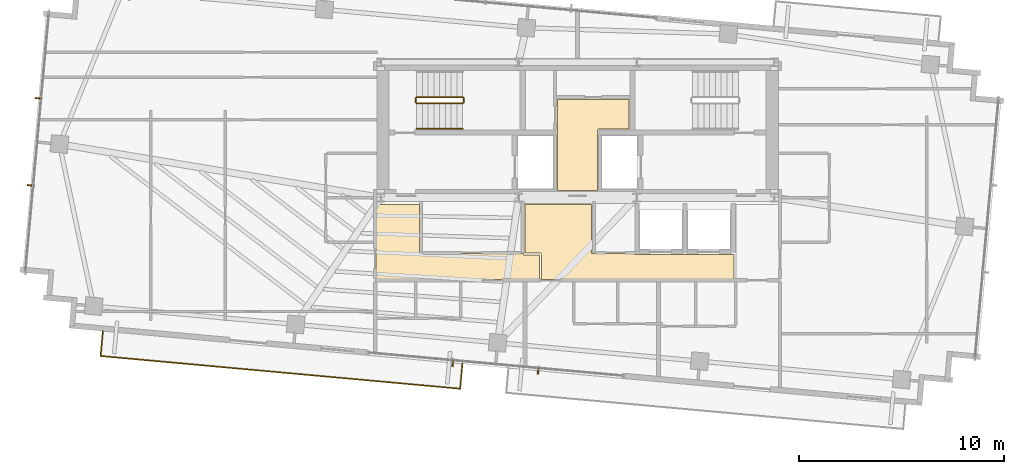
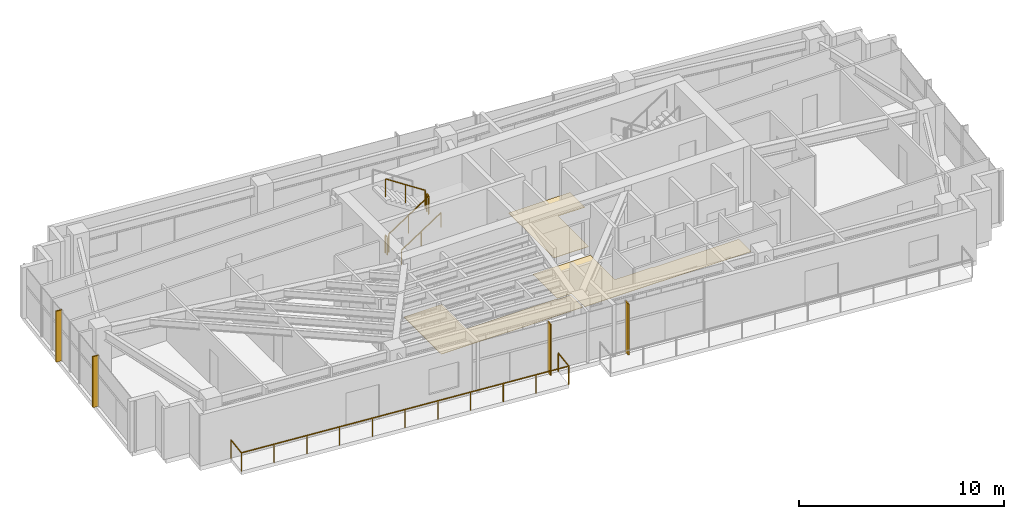
# One storey, part 20 of 22: 6 railings, 4 shading devices, 3 coverings.
"""IFC4 building model written with IfcOpenShell, lengths in metres."""

import ifcopenshell
import ifcopenshell.guid

model = None  # the IFC model being written
_history = None  # IfcOwnerHistory: only IFC2X3 demands one
_inside = {}  # id of a spatial element -> (the spatial element, [elements in it])
_under = {}  # id of a project, library or spatial element -> (it, [spatial elements below it])
_declared = {}  # id of a project -> (the project, [libraries it declares])
_typed = {}  # id of a type object -> (the type object, [elements of that type])
_made_of = {}  # id of a material, layer set ... -> (it, [elements and type objects made of it])


def new_model(schema):
    """Start an empty IFC model of exactly this schema.

    Asked for "IFC4X3", IfcOpenShell would pick the latest addendum, in which some entities
    have other attributes; the version numbers below select the first issue.
    IFC2X3 requires an IfcOwnerHistory on every rooted entity: one is made here for all.
    """
    global model, _history
    if schema == "IFC4X3":
        model = ifcopenshell.file(schema_version=(4, 3, 0, 0))
    else:
        model = ifcopenshell.file(schema=schema)
    _inside.clear()
    _under.clear()
    _declared.clear()
    _typed.clear()
    _made_of.clear()
    _history = None
    if model.schema == "IFC2X3":
        org = make("IfcOrganization", Name="unknown")
        user = make(
            "IfcPersonAndOrganization",
            ThePerson=make("IfcPerson", FamilyName="unknown"),
            TheOrganization=org,
        )
        app = make(
            "IfcApplication",
            ApplicationDeveloper=org,
            Version="unknown",
            ApplicationFullName="unknown",
            ApplicationIdentifier="unknown",
        )
        _history = make(
            "IfcOwnerHistory",
            OwningUser=user,
            OwningApplication=app,
            ChangeAction="ADDED",
            CreationDate=0,
        )
    return model


def make(cls, **values):
    """One entity of the class cls with the attributes given. An attribute that is None is left unset."""
    return model.create_entity(
        cls, **{name: value for name, value in values.items() if value is not None}
    )


def rooted(cls, **values):
    """An entity with a GlobalId (a new one), such as an element, a storey or a relation."""
    return make(cls, GlobalId=ifcopenshell.guid.new(), OwnerHistory=_history, **values)


def si_unit(unit_type, name, prefix=None):
    """IfcSIUnit, for example si_unit("LENGTHUNIT", "METRE", prefix="MILLI")."""
    return make("IfcSIUnit", UnitType=unit_type, Prefix=prefix, Name=name)


def assignment(units):
    """IfcUnitAssignment: the units of a project."""
    return None if units is None else make("IfcUnitAssignment", Units=units)


def point(xyz):
    """IfcCartesianPoint."""
    return None if xyz is None else make("IfcCartesianPoint", Coordinates=xyz)


def direction(xyz):
    """IfcDirection."""
    return None if xyz is None else make("IfcDirection", DirectionRatios=xyz)


def frame(location, z_axis=None, x_axis=None):
    """IfcAxis2Placement3D, a coordinate frame: its origin and axes. An axis left out is left unset."""
    return make(
        "IfcAxis2Placement3D",
        Location=point(location),
        Axis=direction(z_axis),
        RefDirection=direction(x_axis),
    )


def frame_2d(location, x_axis=None):
    """IfcAxis2Placement2D, a coordinate frame in the plane: its origin and x axis."""
    return make(
        "IfcAxis2Placement2D", Location=point(location), RefDirection=direction(x_axis)
    )


def origin():
    """The frame at (0, 0, 0) with its axes left unset."""
    return frame((0.0, 0.0, 0.0))


def origin_2d():
    """The frame at (0, 0) in the plane with its x axis left unset."""
    return frame_2d((0.0, 0.0))


def place(relative_to, where):
    """IfcLocalPlacement: puts the frame where relative to a parent placement (None: the world)."""
    return make(
        "IfcLocalPlacement", PlacementRelTo=relative_to, RelativePlacement=where
    )


def context(
    kind, dimensions, precision=None, world=None, true_north=None, identifier=None
):
    """IfcGeometricRepresentationContext, for example the 3D "Model" context."""
    return make(
        "IfcGeometricRepresentationContext",
        ContextIdentifier=identifier,
        ContextType=kind,
        CoordinateSpaceDimension=dimensions,
        Precision=precision,
        WorldCoordinateSystem=world,
        TrueNorth=true_north,
    )


def subcontext(parent, identifier, kind, view, scale=None):
    """IfcGeometricRepresentationSubContext, for example "Body" below "Model"."""
    return make(
        "IfcGeometricRepresentationSubContext",
        ContextIdentifier=identifier,
        ContextType=kind,
        ParentContext=parent,
        TargetScale=scale,
        TargetView=view,
    )


def project(units=None, contexts=None):
    """IfcProject with its units and contexts."""
    return rooted(
        "IfcProject",
        Name="project",
        RepresentationContexts=contexts,
        UnitsInContext=assignment(units),
    )


def spatial(cls, under=None, at=None, **own):
    """A site, building, storey or space (cls), placed at a placement, below another one or the project."""
    s = rooted(cls, ObjectPlacement=at, **own)
    if under is not None:
        _under.setdefault(under.id(), (under, []))[1].append(s)
    return s


def polyline(points):
    """IfcPolyline through the points."""
    return make("IfcPolyline", Points=[point(p) for p in points])


def profile(cls, at=None, kind="AREA", **sizes):
    """A parametric profile (cls). Its sizes go by their IFC names, for example OverallWidth=200.0."""
    return make(cls, ProfileType=kind, Position=at, **sizes)


def rectangle(**sizes):
    """IfcRectangleProfileDef."""
    return profile("IfcRectangleProfileDef", **sizes)


def outline(outer, holes=None, kind="AREA"):
    """IfcArbitraryClosedProfileDef: a profile drawn as a closed curve; with holes, ...WithVoids."""
    if holes is None:
        return make("IfcArbitraryClosedProfileDef", ProfileType=kind, OuterCurve=outer)
    return make(
        "IfcArbitraryProfileDefWithVoids",
        ProfileType=kind,
        OuterCurve=outer,
        InnerCurves=holes,
    )


def extrude(swept, where, along, depth):
    """IfcExtrudedAreaSolid: the profile swept, set in the frame where, extruded along a direction by depth."""
    return make(
        "IfcExtrudedAreaSolid",
        SweptArea=swept,
        Position=where,
        ExtrudedDirection=direction(along),
        Depth=depth,
    )


def shape(context_of_items, identifier, shape_type, items):
    """IfcShapeRepresentation: the items that make up one representation, for example the "Body"."""
    return make(
        "IfcShapeRepresentation",
        ContextOfItems=context_of_items,
        RepresentationIdentifier=identifier,
        RepresentationType=shape_type,
        Items=items,
    )


def source(mapping_origin, context_of_items, identifier, shape_type, items):
    """IfcRepresentationMap: a shape defined once, which mapped items show again and again."""
    return make(
        "IfcRepresentationMap",
        MappingOrigin=mapping_origin,
        MappedRepresentation=shape(context_of_items, identifier, shape_type, items),
    )


def transform(
    local_origin,
    x_axis=None,
    y_axis=None,
    z_axis=None,
    scale=None,
    scale2=None,
    scale3=None,
    uniform=True,
):
    """IfcCartesianTransformationOperator3D, or its non-uniform kind. x_axis, y_axis, z_axis: its Axis1, 2, 3."""
    if uniform:
        return make(
            "IfcCartesianTransformationOperator3D",
            Axis1=direction(x_axis),
            Axis2=direction(y_axis),
            LocalOrigin=point(local_origin),
            Scale=scale,
            Axis3=direction(z_axis),
        )
    return make(
        "IfcCartesianTransformationOperator3DnonUniform",
        Axis1=direction(x_axis),
        Axis2=direction(y_axis),
        LocalOrigin=point(local_origin),
        Scale=scale,
        Axis3=direction(z_axis),
        Scale2=scale2,
        Scale3=scale3,
    )


def mapped(mapping_source, mapping_target):
    """IfcMappedItem: shows the shape of a source again, moved by a transform."""
    return make(
        "IfcMappedItem", MappingSource=mapping_source, MappingTarget=mapping_target
    )


def material(Name=None, Category=None):
    """IfcMaterial."""
    return make("IfcMaterial", Name=Name, Category=Category)


def layer(
    of_material, thickness, ventilated=None, Name=None, Category=None, Priority=None
):
    """IfcMaterialLayer: one layer of a wall or slab, of a material (None: an air gap)."""
    return make(
        "IfcMaterialLayer",
        Material=of_material,
        LayerThickness=thickness,
        IsVentilated=ventilated,
        Name=Name,
        Category=Category,
        Priority=Priority,
    )


def layer_set(layers, Name=None):
    """IfcMaterialLayerSet."""
    return make("IfcMaterialLayerSet", MaterialLayers=layers, LayerSetName=Name)


def made_of(thing, what):
    """Note that an element or type object is made of a material, layer set ...; save() writes the relation."""
    if what is not None:
        _made_of.setdefault(what.id(), (what, []))[1].append(thing)
    return thing


def type_object(cls, material=None, **own):
    """A type object (cls), such as IfcWallType, which elements share."""
    return made_of(rooted(cls, **own), material)


def type_shapes(of_type, sources):
    """Give a type object the sources (RepresentationMaps) that its elements show as mapped items."""
    of_type.RepresentationMaps = sources


def element(
    cls,
    number,
    at=None,
    inside=None,
    cuts=None,
    type_object=None,
    material=None,
    context=None,
    identifier="Body",
    shape_type=None,
    held_by="IfcProductDefinitionShape",
    body=None,
    shapes=None,
    **own,
):
    """One element of the class cls, such as IfcWall. Its Tag is "e" and its number.

    at: its placement. inside: the storey or other place that contains it. cuts: it is an
    opening in that element (IfcRelVoidsElement). A single representation is given by context,
    identifier, shape_type and body (its items); several are given by shapes. held_by: the class
    of the entity that holds the representations. save() writes the other relations.
    """
    e = rooted(cls, Tag="e%d" % number, ObjectPlacement=at, **own)
    if body is not None:
        shapes = [shape(context, identifier, shape_type, body)]
    if shapes is not None:
        e.Representation = make(held_by, Representations=shapes)
    if inside is not None:
        _inside.setdefault(inside.id(), (inside, []))[1].append(e)
    if cuts is not None:
        rooted(
            "IfcRelVoidsElement", RelatingBuildingElement=cuts, RelatedOpeningElement=e
        )
    if type_object is not None:
        _typed.setdefault(type_object.id(), (type_object, []))[1].append(e)
    return made_of(e, material)


def aggregate(whole, parts):
    """IfcRelAggregates: a whole, such as a stair, and the parts it consists of."""
    return rooted("IfcRelAggregates", RelatingObject=whole, RelatedObjects=parts)


def save(model, path):
    """Write the relations noted so far, then the file.

    IfcRelAggregates (storeys below a building ...), IfcRelContainedInSpatialStructure (elements
    in a storey), IfcRelDefinesByType, IfcRelAssociatesMaterial and IfcRelDeclares: one each for
    every whole, place, type object, material and project.
    """
    for whole, parts in _under.values():
        aggregate(whole, parts)
    for where, things in _inside.values():
        rooted(
            "IfcRelContainedInSpatialStructure",
            RelatedElements=things,
            RelatingStructure=where,
        )
    for kind, things in _typed.values():
        rooted("IfcRelDefinesByType", RelatedObjects=things, RelatingType=kind)
    for what, things in _made_of.values():
        rooted("IfcRelAssociatesMaterial", RelatedObjects=things, RelatingMaterial=what)
    for by, libraries in _declared.values():
        rooted("IfcRelDeclares", RelatingContext=by, RelatedDefinitions=libraries)
    model.write(path)


model = new_model("IFC4")

# Units and contexts
model_context = context("Model", 3, precision=1e-05, world=origin(), true_north=direction((0.0, 1.0)))
body_context = subcontext(model_context, "Body", "Model", "MODEL_VIEW")
ifc_project = project(units=[si_unit("LENGTHUNIT", "METRE"), si_unit("AREAUNIT", "SQUARE_METRE"), si_unit("VOLUMEUNIT", "CUBIC_METRE"), si_unit("PLANEANGLEUNIT", "RADIAN"), si_unit("MASSUNIT", "GRAM", prefix="KILO")], contexts=[model_context])

# Site, building, storey
site_placement = place(None, origin())
site = spatial("IfcSite", under=ifc_project, at=site_placement, CompositionType="ELEMENT")
building_placement = place(site_placement, origin())
building = spatial("IfcBuilding", under=site, at=building_placement, Name="Astriad Promenade Condominiums", CompositionType="ELEMENT")
storey_placement = place(building_placement, frame((0.0, 0.0, 239.699951171875)))
storey = spatial("IfcBuildingStorey", under=building, at=storey_placement, Name="L69", CompositionType="ELEMENT", Elevation=239.699951171875)

# Coverings
ifc_material_1 = material(Name="Polished Lakefront Terrazzo Flooring")
ifc_layer = layer(ifc_material_1, 0.02001953125)
ifc_layer_set = layer_set([ifc_layer], Name="Polished Lakefront Terrazzo Flooring")
covering_type = type_object("IfcCoveringType", Name="COV-FLOR-TERRAZZO-20", PredefinedType="FLOORING", material=ifc_layer_set)
covering_1_placement = place(storey_placement, origin())
element("IfcCovering", 1, at=covering_1_placement, inside=storey, type_object=covering_type, Name="FLR-L69-CSL", PredefinedType="FLOORING", context=body_context, shape_type="SweptSolid", body=[
    extrude(outline(polyline([(36.97998046875, 20.699951171875), (36.97998046875, 17.739990234375), (35.02001953125, 17.739990234375), (35.02001953125, 22.179931640625), (38.5, 22.179931640625), (38.5, 20.739990234375), (37.02001953125, 20.739990234375), (37.01611328125, 20.73974609375), (37.01220703125, 20.7392578125), (37.00830078125, 20.73828125), (37.004638671875, 20.737060546875), (37.001220703125, 20.7353515625), (36.997802734375, 20.7333984375), (36.99462890625, 20.73095703125), (36.99169921875, 20.728271484375), (36.989013671875, 20.725341796875), (36.98681640625, 20.72216796875), (36.984619140625, 20.718994140625), (36.98291015625, 20.71533203125), (36.981689453125, 20.711669921875), (36.980712890625, 20.707763671875), (36.980224609375, 20.703857421875), (36.97998046875, 20.699951171875)])), origin(), (0.0, 0.0, 1.0), 0.02001953125),
])
covering_2_placement = place(storey_placement, origin())
element("IfcCovering", 2, at=covering_2_placement, inside=storey, type_object=covering_type, Name="FLR-L69-LLB", PredefinedType="FLOORING", context=body_context, shape_type="SweptSolid", body=[
    extrude(outline(polyline([(43.639892578125, 14.610107421875), (43.639892578125, 13.39990234375), (34.239990234375, 13.39990234375), (34.239990234375, 14.64990234375), (34.23974609375, 14.65380859375), (34.2392578125, 14.65771484375), (34.23828125, 14.66162109375), (34.237060546875, 14.665283203125), (34.2353515625, 14.6689453125), (34.2333984375, 14.672119140625), (34.23095703125, 14.67529296875), (34.228271484375, 14.67822265625), (34.225341796875, 14.680908203125), (34.22216796875, 14.683349609375), (34.218994140625, 14.685302734375), (34.21533203125, 14.68701171875), (34.211669921875, 14.688232421875), (34.207763671875, 14.689208984375), (34.203857421875, 14.689697265625), (34.199951171875, 14.68994140625), (33.43994140625, 14.68994140625), (33.43994140625, 17.06005859375), (36.679931640625, 17.06005859375), (36.679931640625, 14.699951171875), (36.68017578125, 14.696044921875), (36.680908203125, 14.692138671875), (36.681640625, 14.6884765625), (36.68310546875, 14.684814453125), (36.684814453125, 14.68115234375), (36.686767578125, 14.677734375), (36.689208984375, 14.674560546875), (36.691650390625, 14.671630859375), (36.694580078125, 14.669189453125), (36.69775390625, 14.666748046875), (36.701171875, 14.664794921875), (36.70458984375, 14.6630859375), (36.70849609375, 14.66162109375), (36.712158203125, 14.660888671875), (36.716064453125, 14.66015625), (36.719970703125, 14.659912109375), (38.760009765625, 14.659912109375), (38.760009765625, 14.64990234375), (38.76025390625, 14.64599609375), (38.7607421875, 14.64208984375), (38.76171875, 14.638427734375), (38.762939453125, 14.634765625), (38.7646484375, 14.631103515625), (38.7666015625, 14.627685546875), (38.76904296875, 14.62451171875), (38.771728515625, 14.62158203125), (38.774658203125, 14.619140625), (38.77783203125, 14.61669921875), (38.781005859375, 14.61474609375), (38.78466796875, 14.613037109375), (38.788330078125, 14.61181640625), (38.792236328125, 14.61083984375), (38.796142578125, 14.610107421875), (38.800048828125, 14.610107421875), (43.639892578125, 14.610107421875)])), origin(), (0.0, 0.0, 1.0), 0.02001953125),
])
covering_3_placement = place(storey_placement, origin())
element("IfcCovering", 3, at=covering_3_placement, inside=storey, type_object=covering_type, Name="FLR-L69-COR-2", PredefinedType="FLOORING", context=body_context, shape_type="SweptSolid", body=[
    extrude(outline(polyline([(26.159912109375, 13.39990234375), (26.159912109375, 17.06005859375), (28.280029296875, 17.06005859375), (28.280029296875, 14.699951171875), (28.2802734375, 14.696044921875), (28.28076171875, 14.692138671875), (28.28173828125, 14.6884765625), (28.282958984375, 14.684814453125), (28.28466796875, 14.68115234375), (28.28662109375, 14.677734375), (28.2890625, 14.674560546875), (28.291748046875, 14.671630859375), (28.294677734375, 14.669189453125), (28.2978515625, 14.666748046875), (28.301025390625, 14.664794921875), (28.3046875, 14.6630859375), (28.308349609375, 14.66162109375), (28.312255859375, 14.660888671875), (28.316162109375, 14.66015625), (28.320068359375, 14.659912109375), (33.35009765625, 14.659912109375), (33.35009765625, 14.64892578125), (33.35009765625, 14.64501953125), (33.350830078125, 14.64111328125), (33.35107421875, 14.64013671875), (33.351318359375, 14.639404296875), (33.351318359375, 14.638427734375), (33.352294921875, 14.634521484375), (33.353759765625, 14.630859375), (33.3544921875, 14.629150390625), (33.356201171875, 14.6259765625), (33.356689453125, 14.625), (33.35888671875, 14.62158203125), (33.3603515625, 14.61962890625), (33.36083984375, 14.618896484375), (33.361083984375, 14.61865234375), (33.361328125, 14.618408203125), (33.361572265625, 14.617919921875), (33.36328125, 14.615966796875), (33.365966796875, 14.61328125), (33.367919921875, 14.611572265625), (33.368408203125, 14.611328125), (33.36865234375, 14.611083984375), (33.368896484375, 14.61083984375), (33.36962890625, 14.6103515625), (33.37158203125, 14.60888671875), (33.375, 14.606689453125), (33.3759765625, 14.606201171875), (33.379150390625, 14.6044921875), (33.3798828125, 14.604248046875), (33.380859375, 14.603759765625), (33.384521484375, 14.602294921875), (33.388427734375, 14.601318359375), (33.389404296875, 14.601318359375), (33.39013671875, 14.60107421875), (33.39111328125, 14.600830078125), (33.39501953125, 14.60009765625), (33.39892578125, 14.60009765625), (34.14990234375, 14.60009765625), (34.14990234375, 13.39990234375), (26.159912109375, 13.39990234375)])), origin(), (0.0, 0.0, 1.0), 0.02001953125),
])

# Shading devices
ifc_material_2 = material(Name="Anodised aluminium 6063-T6 Black Fin", Category="aluminium")
shading_device_type = type_object("IfcShadingDeviceType", Name="FIN-BLACK-260", PredefinedType="USERDEFINED", material=ifc_material_2)
shared_shape_1 = source(origin(), body_context, "Body", "SweptSolid", [
    extrude(rectangle(XDim=0.06494140625, YDim=0.320068359375, at=origin_2d()), origin(), (0.0, 0.0, 1.0), 3.0400390625),
])
type_shapes(shading_device_type, [shared_shape_1])
for number, where, z_axis, x_axis, name in (
    (4, (9.293212890625, 17.9970703125, 0.0), (0.0, 0.0, 1.0), (0.090632580198, 0.995884398616, 0.0), "CW-L69-W-FIN-01"),
    (5, (9.6796875, 22.246337890625, 0.0), (0.0, 0.0, 1.0), (0.090632580198, 0.995884398616, 0.0), "CW-L69-W-FIN-02"),
    (6, (34.073974609375, 8.937255859375, 0.0), (0.0, 0.0, 1.0), (-0.995884398616, 0.090632580198, 0.0), "CW-L69-S-FIN-01"),
    (7, (29.9111328125, 9.316162109375, 0.0), (0.0, 0.0, 1.0), (-0.995884398616, 0.090632580198, 0.0), "CW-L69-S-FIN-02"),
):
    element("IfcShadingDevice", number, at=place(storey_placement, frame(where, z_axis=z_axis, x_axis=x_axis)), inside=storey, type_object=shading_device_type, Name=name, ObjectType="FIN", PredefinedType="USERDEFINED", context=body_context, shape_type="MappedRepresentation", body=[
        mapped(shared_shape_1, transform((0.0, 0.0, 0.0), scale=1.0)),
    ])

# Railings
ifc_material_3 = material(Name="Laminated Glass and Stainless Steel Balustrade", Category="steel")
railing_type_1 = type_object("IfcRailingType", Name="GRD-BALC-1120", PredefinedType="BALUSTRADE", material=ifc_material_3)
shared_shape_2 = source(origin(), body_context, "Body", "SweptSolid", [
    extrude(rectangle(XDim=0.048095703125, YDim=0.048095703125, at=origin_2d()), frame((0.0, 0.0, 1.09619140625), z_axis=(-0.09066206129, -0.995881715186, 0.0), x_axis=(0.995881715186, -0.09066206129, 0.0)), (0.0, 0.0, 1.0), 1.219970703125),
    extrude(rectangle(XDim=0.048095703125, YDim=0.048095703125, at=origin_2d()), frame((-0.110595703125, -1.21484375, 1.09619140625), z_axis=(0.995884345553, -0.090633163265, 0.0), x_axis=(0.090633163265, 0.995884345553, 0.0)), (0.0, 0.0, 1.0), 17.625),
    extrude(rectangle(XDim=0.048095703125, YDim=0.048095703125, at=origin_2d()), frame((17.44189453125, -2.812255859375, 1.09619140625), z_axis=(0.09066206129, 0.995881715186, 0.0), x_axis=(-0.995881715186, 0.09066206129, 0.0)), (0.0, 0.0, 1.0), 1.219970703125),
    extrude(rectangle(XDim=0.0419921875, YDim=0.0419921875, at=origin_2d()), origin(), (0.0, 0.0, 1.0), 1.072021484375),
    extrude(rectangle(XDim=0.0419921875, YDim=0.0419921875, at=origin_2d()), frame((-0.110595703125, -1.21484375, 0.0)), (0.0, 0.0, 1.0), 1.072021484375),
    extrude(rectangle(XDim=0.0419921875, YDim=0.0419921875, at=origin_2d()), frame((1.64453125, -1.37451171875, 0.0)), (0.0, 0.0, 1.0), 1.072021484375),
    extrude(rectangle(XDim=0.0419921875, YDim=0.0419921875, at=origin_2d()), frame((3.39990234375, -1.534423828125, 0.0)), (0.0, 0.0, 1.0), 1.072021484375),
    extrude(rectangle(XDim=0.0419921875, YDim=0.0419921875, at=origin_2d()), frame((5.1552734375, -1.694091796875, 0.0)), (0.0, 0.0, 1.0), 1.072021484375),
    extrude(rectangle(XDim=0.0419921875, YDim=0.0419921875, at=origin_2d()), frame((6.910400390625, -1.853759765625, 0.0)), (0.0, 0.0, 1.0), 1.072021484375),
    extrude(rectangle(XDim=0.0419921875, YDim=0.0419921875, at=origin_2d()), frame((8.66552734375, -2.013671875, 0.0)), (0.0, 0.0, 1.0), 1.072021484375),
    extrude(rectangle(XDim=0.0419921875, YDim=0.0419921875, at=origin_2d()), frame((10.4208984375, -2.17333984375, 0.0)), (0.0, 0.0, 1.0), 1.072021484375),
    extrude(rectangle(XDim=0.0419921875, YDim=0.0419921875, at=origin_2d()), frame((12.17626953125, -2.3330078125, 0.0)), (0.0, 0.0, 1.0), 1.072021484375),
    extrude(rectangle(XDim=0.0419921875, YDim=0.0419921875, at=origin_2d()), frame((13.931396484375, -2.49267578125, 0.0)), (0.0, 0.0, 1.0), 1.072021484375),
    extrude(rectangle(XDim=0.0419921875, YDim=0.0419921875, at=origin_2d()), frame((15.6865234375, -2.652587890625, 0.0)), (0.0, 0.0, 1.0), 1.072021484375),
    extrude(rectangle(XDim=0.0419921875, YDim=0.0419921875, at=origin_2d()), frame((17.44189453125, -2.812255859375, 0.0)), (0.0, 0.0, 1.0), 1.072021484375),
    extrude(rectangle(XDim=0.0419921875, YDim=0.0419921875, at=origin_2d()), frame((17.552490234375, -1.597412109375, 0.0)), (0.0, 0.0, 1.0), 1.072021484375),
])
type_shapes(railing_type_1, [shared_shape_2])
railing_1_placement = place(storey_placement, frame((12.82958984375, 10.880615234375, 0.0)))
element("IfcRailing", 8, at=railing_1_placement, inside=storey, type_object=railing_type_1, Name="GRD-BALC-L69-SW", PredefinedType="BALUSTRADE", context=body_context, shape_type="MappedRepresentation", body=[
    mapped(shared_shape_2, transform((0.0, 0.0, 0.0), scale=1.0)),
])
ifc_material_4 = material(Name="Painted Galvanised Steel Guardrail", Category="steel")
railing_type_2 = type_object("IfcRailingType", Name="GRD-STAIR-1100", PredefinedType="GUARDRAIL", material=ifc_material_4)
shared_shape_3 = source(origin(), body_context, "Body", "SweptSolid", [
    extrude(rectangle(XDim=0.048095703125, YDim=0.048095703125, at=origin_2d()), frame((0.0, 0.0, 1.076171875), z_axis=(0.0, 1.0, 0.0), x_axis=(-1.0, 0.0, 0.0)), (0.0, 0.0, 1.0), 0.199951171875),
    extrude(rectangle(XDim=0.0419921875, YDim=0.0419921875, at=origin_2d()), origin(), (0.0, 0.0, 1.0), 1.052001953125),
    extrude(rectangle(XDim=0.0419921875, YDim=0.0419921875, at=origin_2d()), frame((0.0, 0.199951171875, 0.0)), (0.0, 0.0, 1.0), 1.052001953125),
])
for number, where, name in (
    (9, (30.43994140625, 22.050048828125, 1.650146484375), "L69 ST-1 stair guard 2"),
    (10, (28.10009765625, 22.050048828125, 0.0), "L69 ST-1 stair guard 4"),
):
    element("IfcRailing", number, at=place(storey_placement, frame(where)), inside=storey, type_object=railing_type_2, Name=name, PredefinedType="GUARDRAIL", context=body_context, shape_type="MappedRepresentation", body=[
        mapped(shared_shape_3, transform((0.0, 0.0, 0.0), scale=1.0)),
    ])
shared_shape_4 = source(origin(), body_context, "Body", "SweptSolid", [
    extrude(rectangle(XDim=0.048095703125, YDim=0.048095703125, at=origin_2d()), frame((0.0, 0.0, 1.076171875), z_axis=(-0.836636935527, 0.0, 0.547757827979), x_axis=(0.0, -1.0, 0.0)), (0.0, 0.0, 1.0), 2.677490234375),
    extrude(rectangle(XDim=0.0419921875, YDim=0.0419921875, at=origin_2d()), origin(), (0.0, 0.0, 1.0), 1.052001953125),
    extrude(rectangle(XDim=0.0419921875, YDim=0.0419921875, at=origin_2d()), frame((-1.1201171875, 0.0, 0.7333984375)), (0.0, 0.0, 1.0), 1.052001953125),
    extrude(rectangle(XDim=0.0419921875, YDim=0.0419921875, at=origin_2d()), frame((-2.239990234375, 0.0, 1.466552734375)), (0.0, 0.0, 1.0), 1.052001953125),
])
railing_2_placement = place(storey_placement, frame((30.389892578125, 22.300048828125, 1.83349609375)))
element("IfcRailing", 11, at=railing_2_placement, inside=storey, type_object=railing_type_2, Name="L69 ST-1 stair guard 3", PredefinedType="GUARDRAIL", context=body_context, shape_type="MappedRepresentation", body=[
    mapped(shared_shape_4, transform((0.0, 0.0, 0.0), scale=1.0)),
])
shared_shape_5 = source(origin(), body_context, "Body", "SweptSolid", [
    extrude(rectangle(XDim=0.048095703125, YDim=0.048095703125, at=origin_2d()), frame((0.0, 0.0, 1.076171875), z_axis=(0.836595146698, 0.0, 0.547821650285), x_axis=(0.0, 1.0, 0.0)), (0.0, 0.0, 1.0), 2.677490234375),
    extrude(rectangle(XDim=0.0419921875, YDim=0.0419921875, at=origin_2d()), origin(), (0.0, 0.0, 1.0), 1.052001953125),
    extrude(rectangle(XDim=0.0419921875, YDim=0.0419921875, at=origin_2d()), frame((1.1201171875, 0.0, 0.7333984375)), (0.0, 0.0, 1.0), 1.052001953125),
    extrude(rectangle(XDim=0.0419921875, YDim=0.0419921875, at=origin_2d()), frame((2.239990234375, 0.0, 1.466796875)), (0.0, 0.0, 1.0), 1.052001953125),
])
type_shapes(railing_type_2, [shared_shape_3, shared_shape_4, shared_shape_5])
railing_3_placement = place(storey_placement, frame((28.14990234375, 22.0, 0.183349609375)))
element("IfcRailing", 12, at=railing_3_placement, inside=storey, type_object=railing_type_2, Name="L69 ST-1 stair guard 1", PredefinedType="GUARDRAIL", context=body_context, shape_type="MappedRepresentation", body=[
    mapped(shared_shape_5, transform((0.0, 0.0, 0.0), scale=1.0)),
])
ifc_material_5 = material(Name="Brushed Stainless Steel Handrail", Category="steel")
railing_type_3 = type_object("IfcRailingType", Name="HRL-STAIR-920", PredefinedType="HANDRAIL", material=ifc_material_5)
shared_shape_6 = source(origin(), body_context, "Body", "SweptSolid", [
    extrude(rectangle(XDim=0.048095703125, YDim=0.048095703125, at=origin_2d()), frame((0.0, 0.0, 0.8759765625), z_axis=(0.836595146698, 0.0, 0.547821650285), x_axis=(0.0, 1.0, 0.0)), (0.0, 0.0, 1.0), 2.677490234375),
    extrude(rectangle(XDim=0.0419921875, YDim=0.0419921875, at=origin_2d()), origin(), (0.0, 0.0, 1.0), 0.851806640625),
    extrude(rectangle(XDim=0.0419921875, YDim=0.0419921875, at=origin_2d()), frame((1.1201171875, 0.0, 0.7333984375)), (0.0, 0.0, 1.0), 0.851806640625),
    extrude(rectangle(XDim=0.0419921875, YDim=0.0419921875, at=origin_2d()), frame((2.239990234375, 0.0, 1.466796875)), (0.0, 0.0, 1.0), 0.851806640625),
])
type_shapes(railing_type_3, [shared_shape_6])
railing_4_placement = place(storey_placement, frame((28.14990234375, 20.75, 0.183349609375)))
element("IfcRailing", 13, at=railing_4_placement, inside=storey, type_object=railing_type_3, Name="L69 ST-1 stair handrail 1", PredefinedType="HANDRAIL", context=body_context, shape_type="MappedRepresentation", body=[
    mapped(shared_shape_6, transform((0.0, 0.0, 0.0), scale=1.0)),
])

save(model, "model.ifc")
